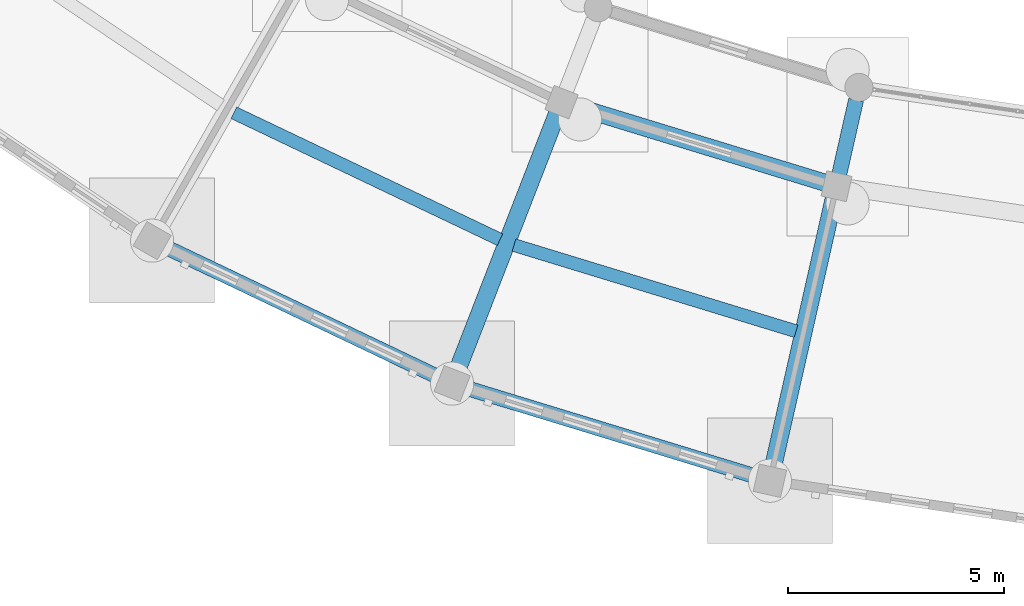
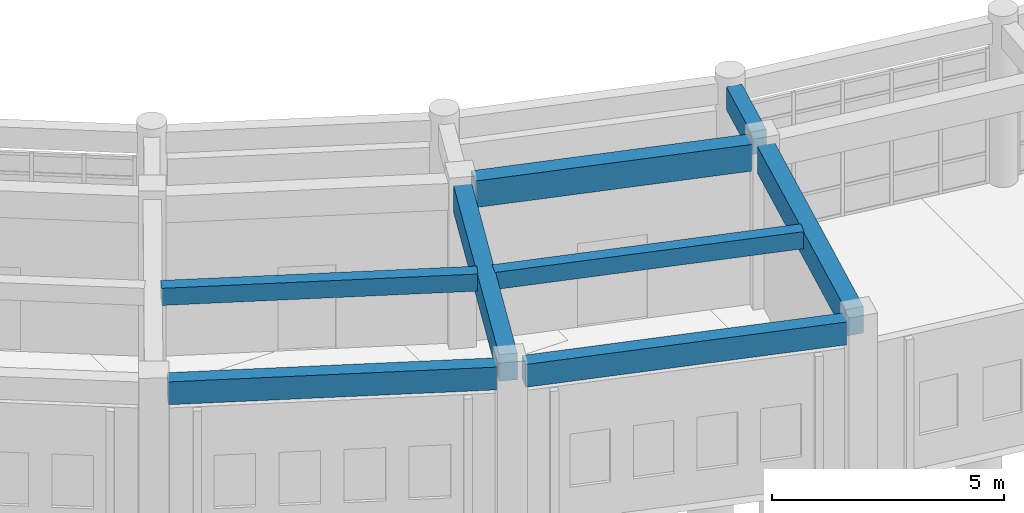
# One storey, part 37 of 153: 8 beams.
"""IFC4 building model written with IfcOpenShell, lengths in metres."""

from ifc_helpers import new_model, si_unit, direction, frame, origin, origin_2d, place, context, subcontext, project, spatial, rectangle, extrude, material, material_profile, profile_set, type_object, element, save


model = new_model("IFC4")

# Units and contexts
model_context = context("Model", 3, precision=1e-05, world=origin(), true_north=direction((0.0, 1.0)))
body_context = subcontext(model_context, "Body", "Model", "MODEL_VIEW")
ifc_project = project(units=[si_unit("LENGTHUNIT", "METRE"), si_unit("AREAUNIT", "SQUARE_METRE"), si_unit("VOLUMEUNIT", "CUBIC_METRE"), si_unit("PLANEANGLEUNIT", "RADIAN"), si_unit("MASSUNIT", "GRAM", prefix="KILO")], contexts=[model_context])

# Site, building, storey
site_placement = place(None, origin())
site = spatial("IfcSite", under=ifc_project, at=site_placement, CompositionType="ELEMENT")
building_placement = place(site_placement, origin())
building = spatial("IfcBuilding", under=site, at=building_placement, Name="Celadon Cloister-Ring School", CompositionType="ELEMENT")
storey_placement = place(building_placement, origin())
storey = spatial("IfcBuildingStorey", under=building, at=storey_placement, Name="L00", CompositionType="ELEMENT", Elevation=0.0)

# Beams
ifc_material_1 = material(Name="Concrete C35/45", Category="concrete")
ifc_material_profile_1 = material_profile(ifc_material_1, rectangle(XDim=0.35009765625, YDim=0.60009765625, at=origin_2d()), Name="RC350X600")
ifc_profile_set_1 = profile_set([ifc_material_profile_1], Name="Concrete C35/45")
beam_type_1 = type_object("IfcBeamType", Name="BT-02", PredefinedType="BEAM", material=ifc_profile_set_1)
beam_1_placement = place(storey_placement, frame((77.134033203125, 15.376953125, 3.97998046875), z_axis=(0.220788618037, 0.975321683418, 0.0), x_axis=(-0.975321683418, 0.220788618037, 0.0)))
element("IfcBeam", 1, at=beam_1_placement, inside=storey, type_object=beam_type_1, Name="Beam 0033", PredefinedType="BEAM", context=body_context, shape_type="SweptSolid", body=[
    extrude(rectangle(XDim=0.35009765625, YDim=0.60009765625, at=origin_2d()), origin(), (0.0, 0.0, 1.0), 1.774658203125),
])
ifc_material_2 = material(Name="Concrete C35/45", Category="concrete")
ifc_material_profile_2 = material_profile(ifc_material_2, rectangle(XDim=0.39990234375, YDim=0.699951171875, at=origin_2d()), Name="RC400X700")
ifc_profile_set_2 = profile_set([ifc_material_profile_2], Name="Concrete C35/45")
beam_type_2 = type_object("IfcBeamType", Name="GT-03", PredefinedType="USERDEFINED", material=ifc_profile_set_2)
beam_2_placement = place(storey_placement, frame((68.27099609375, 10.81201171875, 3.929931640625), z_axis=(0.36215469114, 0.932118007382, 0.0), x_axis=(-0.932118007382, 0.36215469114, 0.0)))
element("IfcBeam", 2, at=beam_2_placement, inside=storey, type_object=beam_type_2, Name="Beam 0030", ObjectType="GIRDER", PredefinedType="USERDEFINED", context=body_context, shape_type="SweptSolid", body=[
    extrude(rectangle(XDim=0.39990234375, YDim=0.699951171875, at=origin_2d()), origin(), (0.0, 0.0, 1.0), 6.425048828125),
])
beam_3_placement = place(storey_placement, frame((75.594970703125, 8.573974609375, 3.929931640625), z_axis=(0.220533763019, 0.975379341266, 0.0), x_axis=(-0.975379341266, 0.220533763019, 0.0)))
element("IfcBeam", 3, at=beam_3_placement, inside=storey, type_object=beam_type_2, Name="Beam 0032", ObjectType="GIRDER", PredefinedType="USERDEFINED", context=body_context, shape_type="SweptSolid", body=[
    extrude(rectangle(XDim=0.39990234375, YDim=0.699951171875, at=origin_2d()), origin(), (0.0, 0.0, 1.0), 6.42529296875),
])
beam_4_placement = place(storey_placement, frame((70.9609375, 16.97705078125, 3.929931640625), z_axis=(0.956312519562, -0.292346309929, 0.0), x_axis=(0.292346309929, 0.956312519562, 0.0)))
element("IfcBeam", 4, at=beam_4_placement, inside=storey, type_object=beam_type_2, Name="Beam 0128", ObjectType="GIRDER", PredefinedType="USERDEFINED", context=body_context, shape_type="SweptSolid", body=[
    extrude(rectangle(XDim=0.39990234375, YDim=0.699951171875, at=origin_2d()), origin(), (0.0, 0.0, 1.0), 6.1162109375),
])
ifc_material_3 = material(Name="Concrete C35/45", Category="concrete")
ifc_material_profile_3 = material_profile(ifc_material_3, rectangle(XDim=0.300048828125, YDim=0.449951171875, at=origin_2d()), Name="RC300X450")
ifc_profile_set_3 = profile_set([ifc_material_profile_3], Name="Concrete C35/45")
beam_type_3 = type_object("IfcBeamType", Name="JT-01", PredefinedType="JOIST", material=ifc_profile_set_3)
beam_5_placement = place(storey_placement, frame((63.10205078125, 16.81103515625, 4.054931640625), z_axis=(0.902698033941, -0.43027463267, 0.0), x_axis=(0.43027463267, 0.902698033941, 0.0)))
element("IfcBeam", 5, at=beam_5_placement, inside=storey, type_object=beam_type_3, Name="Beam 0126", PredefinedType="JOIST", context=body_context, shape_type="SweptSolid", body=[
    extrude(rectangle(XDim=0.300048828125, YDim=0.449951171875, at=origin_2d()), origin(), (0.0, 0.0, 1.0), 6.8349609375),
])
beam_6_placement = place(storey_placement, frame((69.596923828125, 13.743896484375, 4.054931640625), z_axis=(0.956337152336, -0.292265719957, 0.0), x_axis=(0.292265719957, 0.956337152336, 0.0)))
element("IfcBeam", 6, at=beam_6_placement, inside=storey, type_object=beam_type_3, Name="Beam 0130", PredefinedType="JOIST", context=body_context, shape_type="SweptSolid", body=[
    extrude(rectangle(XDim=0.300048828125, YDim=0.449951171875, at=origin_2d()), origin(), (0.0, 0.0, 1.0), 6.83544921875),
])
ifc_material_4 = material(Name="Concrete C35/45", Category="concrete")
ifc_material_profile_4 = material_profile(ifc_material_4, rectangle(XDim=0.35009765625, YDim=0.60009765625, at=origin_2d()), Name="RC350X600")
ifc_profile_set_4 = profile_set([ifc_material_profile_4], Name="Concrete C35/45")
beam_type_4 = type_object("IfcBeamType", Name="SP-01", PredefinedType="SPANDREL", material=ifc_profile_set_4)
beam_7_placement = place(storey_placement, frame((61.47900390625, 13.718017578125, 3.97998046875), z_axis=(0.902655856994, -0.430363106963, 0.0), x_axis=(0.430363106963, 0.902655856994, 0.0)))
element("IfcBeam", 7, at=beam_7_placement, inside=storey, type_object=beam_type_4, Name="Beam 0123", PredefinedType="SPANDREL", context=body_context, shape_type="SweptSolid", body=[
    extrude(rectangle(XDim=0.35009765625, YDim=0.60009765625, at=origin_2d()), origin(), (0.0, 0.0, 1.0), 7.103515625),
])
beam_8_placement = place(storey_placement, frame((68.448974609375, 10.444091796875, 3.97998046875), z_axis=(0.9563686463, -0.292162647123, 0.0), x_axis=(0.292162647123, 0.9563686463, 0.0)))
element("IfcBeam", 8, at=beam_8_placement, inside=storey, type_object=beam_type_4, Name="Beam 0127", PredefinedType="SPANDREL", context=body_context, shape_type="SweptSolid", body=[
    extrude(rectangle(XDim=0.35009765625, YDim=0.60009765625, at=origin_2d()), origin(), (0.0, 0.0, 1.0), 7.102783203125),
])

save(model, "model.ifc")
